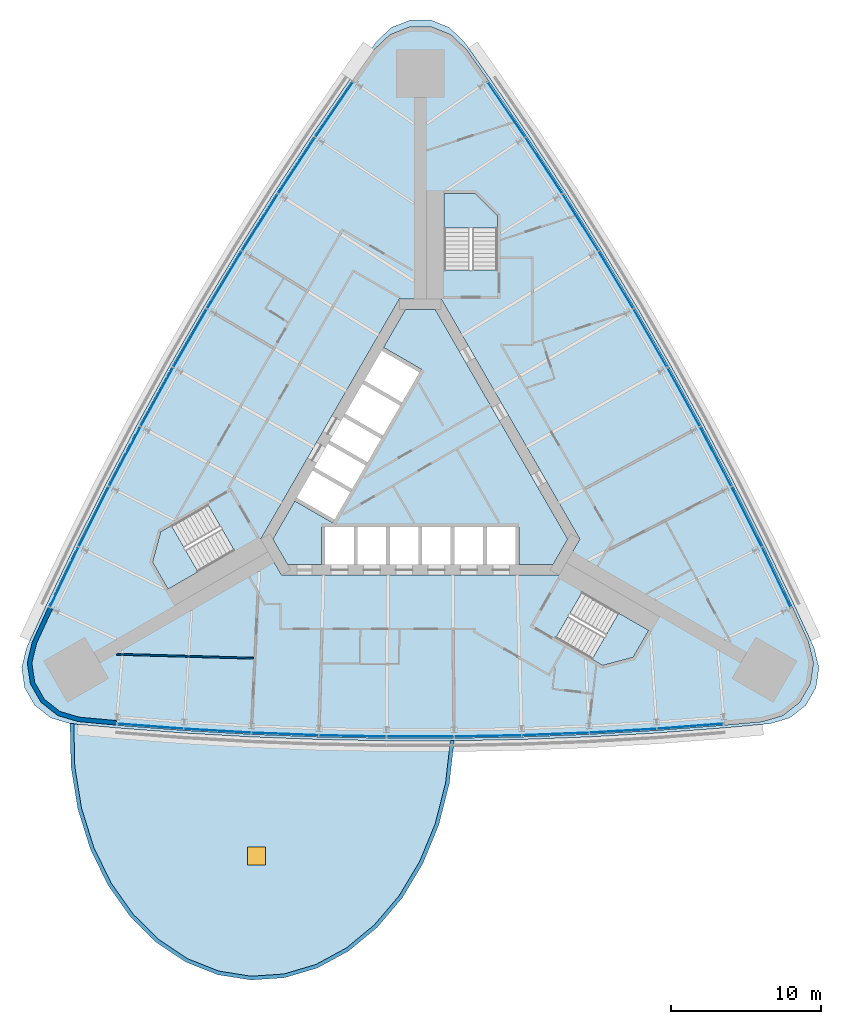
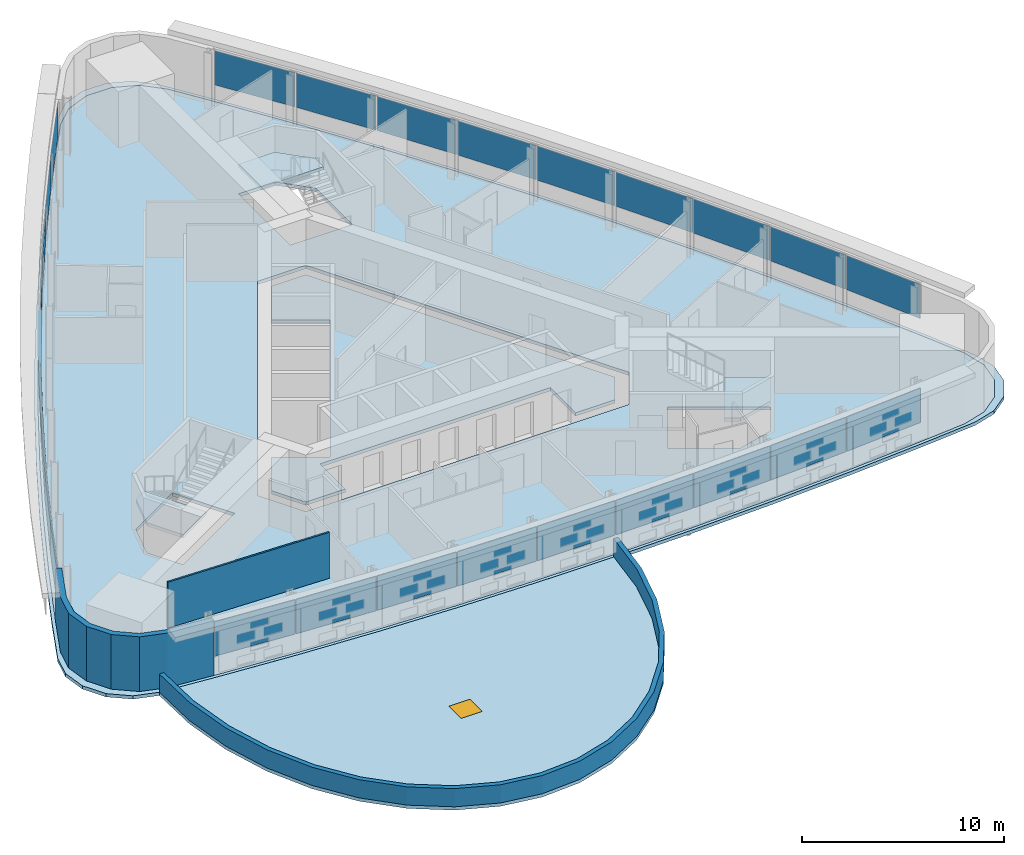
# One storey, part 9 of 15: 27 plates, 7 slabs, 3 walls, 1 window, 1 opening, 6 elements without a shape of their own.
"""IFC4 building model written with IfcOpenShell, lengths in metres."""

from ifc_helpers import new_model, si_unit, direction, frame, frame_2d, origin, origin_2d, place, context, subcontext, project, spatial, polyline, rectangle, outline, extrude, material, layer, layer_set, type_object, element, fill, aggregate, save


model = new_model("IFC4")

# Units and contexts
model_context = context("Model", 3, precision=1e-05, world=origin(), true_north=direction((0.0, 1.0)))
body_context = subcontext(model_context, "Body", "Model", "MODEL_VIEW")
ifc_project = project(units=[si_unit("LENGTHUNIT", "METRE"), si_unit("AREAUNIT", "SQUARE_METRE"), si_unit("VOLUMEUNIT", "CUBIC_METRE"), si_unit("PLANEANGLEUNIT", "RADIAN"), si_unit("MASSUNIT", "GRAM", prefix="KILO")], contexts=[model_context])

# Site, building, storey
site_placement = place(None, origin())
site = spatial("IfcSite", under=ifc_project, at=site_placement, CompositionType="ELEMENT")
building_placement = place(site_placement, origin())
building = spatial("IfcBuilding", under=site, at=building_placement, Name="Noor Cloister Tower", CompositionType="ELEMENT")
storey_placement = place(building_placement, frame((0.0, 0.0, 69.0)))
storey = spatial("IfcBuildingStorey", under=building, at=storey_placement, Name="L17", CompositionType="ELEMENT", Elevation=69.0)

# Slabs
ifc_material_1 = material(Name="Concrete C40/50", Category="concrete")
ifc_layer_1 = layer(ifc_material_1, 0.199951171875)
ifc_layer_set_1 = layer_set([ifc_layer_1], Name="Core floor slab 200 C40/50")
slab_type_1 = type_object("IfcSlabType", Name="Core floor slab 200 C40/50", PredefinedType="FLOOR", material=ifc_layer_set_1)
slab_1_placement = place(storey_placement, frame((0.0, 0.0, -0.199951171875)))
element("IfcSlab", 1, at=slab_1_placement, inside=storey, type_object=slab_type_1, Name="Core floor L17", PredefinedType="FLOOR", context=body_context, shape_type="SweptSolid", body=[
    extrude(outline(polyline([(-6.574951171875, -6.228271484375), (-6.574951171875, -3.728271484375), (6.574951171875, -3.728271484375), (6.574951171875, -6.228271484375), (8.82470703125, -6.228271484375), (9.80615234375, -4.5283203125), (0.9814453125, 10.75634765625), (-0.9814453125, 10.75634765625), (-2.44384765625, 8.2236328125), (0.067626953125, 6.773681640625), (-5.832275390625, -3.4453125), (-8.34375, -1.995361328125), (-9.80615234375, -4.5283203125), (-8.82470703125, -6.228271484375), (-6.574951171875, -6.228271484375)])), origin(), (0.0, 0.0, 1.0), 0.199951171875),
])
ifc_material_2 = material(Name="Concrete C40/50", Category="concrete")
ifc_layer_2 = layer(ifc_material_2, 0.199951171875)
ifc_layer_set_2 = layer_set([ifc_layer_2], Name="Floor slab 200 C40/50")
slab_type_2 = type_object("IfcSlabType", Name="Floor slab 200 C40/50", PredefinedType="FLOOR", material=ifc_layer_set_2)
slab_2_placement = place(storey_placement, frame((0.0, 0.0, -0.199951171875)))
element("IfcSlab", 2, at=slab_2_placement, inside=storey, type_object=slab_type_2, Name="Floor slab L17", PredefinedType="FLOOR", context=body_context, shape_type="SweptSolid", body=[
    extrude(outline(polyline([(3.05908203125, 28.035888671875), (2.029052734375, 29.013916015625), (0.710205078125, 29.540283203125), (-0.710205078125, 29.540283203125), (-2.029052734375, 29.013916015625), (-3.05908203125, 28.035888671875), (-4.524169921875, 25.96533203125), (-7.06787109375, 22.25341796875), (-9.53955078125, 18.492919921875), (-11.938232421875, 14.685546875), (-14.262939453125, 10.832763671875), (-16.5126953125, 6.935546875), (-18.687255859375, 2.995849609375), (-20.78515625, -0.985107421875), (-22.805908203125, -5.005615234375), (-24.748779296875, -9.064697265625), (-25.809326171875, -11.36865234375), (-26.141357421875, -12.74951171875), (-25.937744140625, -14.1552734375), (-25.227783203125, -15.38525390625), (-24.112060546875, -16.26416015625), (-22.750244140625, -16.6669921875), (-20.224609375, -16.900634765625), (-15.738037109375, -17.24755859375), (-11.24560546875, -17.508056640625), (-6.7490234375, -17.681640625), (-2.25, -17.768310546875), (2.25, -17.768310546875), (6.7490234375, -17.681640625), (11.24560546875, -17.508056640625), (15.738037109375, -17.24755859375), (20.224609375, -16.900634765625), (22.750244140625, -16.6669921875), (24.112060546875, -16.26416015625), (25.227783203125, -15.38525390625), (25.937744140625, -14.1552734375), (26.141357421875, -12.74951171875), (25.809326171875, -11.36865234375), (24.748779296875, -9.064697265625), (22.805908203125, -5.005615234375), (20.78515625, -0.985107421875), (18.687255859375, 2.995849609375), (16.5126953125, 6.935546875), (14.262939453125, 10.832763671875), (11.938232421875, 14.685546875), (9.53955078125, 18.492919921875), (7.06787109375, 22.25341796875), (4.524169921875, 25.96533203125), (3.05908203125, 28.035888671875)]), holes=[polyline([(8.999755859375, -11.126220703125), (12.131591796875, -12.934326171875), (14.1572265625, -12.3916015625), (15.19091796875, -10.601318359375), (10.774658203125, -8.0517578125), (8.999755859375, -11.126220703125)]), polyline([(-17.81005859375, -6.064697265625), (-16.776611328125, -7.85498046875), (-12.3603515625, -5.305419921875), (-14.13525390625, -2.23095703125), (-16.662841796875, -3.690185546875), (-17.267333984375, -4.039306640625), (-17.81005859375, -6.064697265625)]), polyline([(-10.6142578125, -4.5283203125), (-9.228759765625, -6.92822265625), (9.228759765625, -6.92822265625), (10.6142578125, -4.5283203125), (1.3857421875, 11.456298828125), (-1.3857421875, 11.456298828125), (-10.6142578125, -4.5283203125)]), polyline([(3.65283203125, 18.456298828125), (1.585693359375, 18.456298828125), (1.585693359375, 13.35693359375), (5.135498046875, 13.35693359375), (5.135498046875, 16.9736328125), (3.65283203125, 18.456298828125)])]), origin(), (0.0, 0.0, 1.0), 0.199951171875),
])

# Curtain wall, plates
ifc_material_3 = material(Name="Aluminium 6063-T6 anodised", Category="aluminium")
curtain_wall_type = type_object("IfcCurtainWallType", Name="Ribbon curtain wall, lower tower CW1", PredefinedType="NOTDEFINED", material=ifc_material_3)
curtain_wall_1_placement = place(storey_placement, origin())
curtain_wall_1 = element("IfcCurtainWall", 3, at=curtain_wall_1_placement, inside=storey, type_object=curtain_wall_type, Name="CW1 L17 NW run 1", PredefinedType="NOTDEFINED")
ifc_material_4 = material(Name="Clear laminated glass 2 x 8 mm", Category="glass")
ifc_layer_3 = layer(ifc_material_4, 0.028076171875)
ifc_layer_set_3 = layer_set([ifc_layer_3], Name="Glass panel CW1")
plate_type = type_object("IfcPlateType", Name="Glass panel CW1", PredefinedType="CURTAIN_PANEL", material=ifc_layer_set_3)
plate_1_placement = place(storey_placement, frame((-5.724609375, 24.03662109375, 1.08984375), z_axis=(0.0, 0.0, 1.0), x_axis=(-0.56527615209, -0.82490173468, 0.0)))
plate_1 = element("IfcPlate", 4, at=plate_1_placement, type_object=plate_type, Name="CW1 glass panel 1", PredefinedType="CURTAIN_PANEL", context=body_context, shape_type="SweptSolid", body=[
    extrude(rectangle(XDim=4.39892578125, YDim=0.028076171875, at=origin_2d()), origin(), (0.0, 0.0, 1.0), 2.070068359375),
])
plate_2_placement = place(storey_placement, frame((-8.22021484375, 20.318359375, 1.08984375), z_axis=(0.0, 0.0, 1.0), x_axis=(-0.549257685694, -0.835653034881, 0.0)))
plate_2 = element("IfcPlate", 5, at=plate_2_placement, type_object=plate_type, Name="CW1 glass panel 2", PredefinedType="CURTAIN_PANEL", context=body_context, shape_type="SweptSolid", body=[
    extrude(rectangle(XDim=4.43798828125, YDim=0.028076171875, at=origin_2d()), origin(), (0.0, 0.0, 1.0), 2.070068359375),
])
plate_3_placement = place(storey_placement, frame((-10.654296875, 16.535888671875, 1.08984375), z_axis=(0.0, 0.0, 1.0), x_axis=(-0.533034810395, -0.846093310993, 0.0)))
plate_3 = element("IfcPlate", 6, at=plate_3_placement, type_object=plate_type, Name="CW1 glass panel 3", PredefinedType="CURTAIN_PANEL", context=body_context, shape_type="SweptSolid", body=[
    extrude(rectangle(XDim=4.43798828125, YDim=0.028076171875, at=origin_2d()), origin(), (0.0, 0.0, 1.0), 2.070068359375),
])
plate_4_placement = place(storey_placement, frame((-13.014892578125, 12.70751953125, 1.08984375), z_axis=(0.0, 0.0, 1.0), x_axis=(-0.516613534697, -0.856218696226, 0.0)))
plate_4 = element("IfcPlate", 7, at=plate_4_placement, type_object=plate_type, Name="CW1 glass panel 4", PredefinedType="CURTAIN_PANEL", context=body_context, shape_type="SweptSolid", body=[
    extrude(rectangle(XDim=4.43798828125, YDim=0.028076171875, at=origin_2d()), origin(), (0.0, 0.0, 1.0), 2.070068359375),
])
plate_5_placement = place(storey_placement, frame((-15.30126953125, 8.834228515625, 1.08984375), z_axis=(0.0, 0.0, 1.0), x_axis=(-0.5, -0.866025403784, 0.0)))
plate_5 = element("IfcPlate", 8, at=plate_5_placement, type_object=plate_type, Name="CW1 glass panel 5", PredefinedType="CURTAIN_PANEL", context=body_context, shape_type="SweptSolid", body=[
    extrude(rectangle(XDim=4.43798828125, YDim=0.028076171875, at=origin_2d()), origin(), (0.0, 0.0, 1.0), 2.070068359375),
])
plate_6_placement = place(storey_placement, frame((-17.512451171875, 4.91748046875, 1.08984375), z_axis=(0.0, 0.0, 1.0), x_axis=(-0.483200374778, -0.8755097931, 0.0)))
plate_6 = element("IfcPlate", 9, at=plate_6_placement, type_object=plate_type, Name="CW1 glass panel 6", PredefinedType="CURTAIN_PANEL", context=body_context, shape_type="SweptSolid", body=[
    extrude(rectangle(XDim=4.43798828125, YDim=0.028076171875, at=origin_2d()), origin(), (0.0, 0.0, 1.0), 2.070068359375),
])
plate_7_placement = place(storey_placement, frame((-19.647705078125, 0.958740234375, 1.08984375), z_axis=(0.0, 0.0, 1.0), x_axis=(-0.466220896094, -0.8846683424, 0.0)))
plate_7 = element("IfcPlate", 10, at=plate_7_placement, type_object=plate_type, Name="CW1 glass panel 7", PredefinedType="CURTAIN_PANEL", context=body_context, shape_type="SweptSolid", body=[
    extrude(rectangle(XDim=4.43798828125, YDim=0.028076171875, at=origin_2d()), origin(), (0.0, 0.0, 1.0), 2.070068359375),
])
plate_8_placement = place(storey_placement, frame((-21.706298828125, -3.040283203125, 1.08984375), z_axis=(0.0, 0.0, 1.0), x_axis=(-0.449067914109, -0.893497626476, 0.0)))
plate_8 = element("IfcPlate", 11, at=plate_8_placement, type_object=plate_type, Name="CW1 glass panel 8", PredefinedType="CURTAIN_PANEL", context=body_context, shape_type="SweptSolid", body=[
    extrude(rectangle(XDim=4.43798828125, YDim=0.028076171875, at=origin_2d()), origin(), (0.0, 0.0, 1.0), 2.070068359375),
])
plate_9_placement = place(storey_placement, frame((-23.6787109375, -7.060791015625, 1.08984375), z_axis=(0.0, 0.0, 1.0), x_axis=(-0.431747781814, -0.901994375203, 0.0)))
plate_9 = element("IfcPlate", 12, at=plate_9_placement, type_object=plate_type, Name="CW1 glass panel 9", PredefinedType="CURTAIN_PANEL", context=body_context, shape_type="SweptSolid", body=[
    extrude(rectangle(XDim=4.39892578125, YDim=0.028076171875, at=origin_2d()), origin(), (0.0, 0.0, 1.0), 2.070068359375),
])
aggregate(curtain_wall_1, [plate_1, plate_2, plate_3, plate_4, plate_5, plate_6, plate_7, plate_8, plate_9])

curtain_wall_2_placement = place(storey_placement, origin())
curtain_wall_2 = element("IfcCurtainWall", 13, at=curtain_wall_2_placement, inside=storey, type_object=curtain_wall_type, Name="CW1 L17 S run 2", PredefinedType="NOTDEFINED")
plate_10_placement = place(storey_placement, frame((-17.9541015625, -16.97607421875, 1.08984375), z_axis=(0.0, 0.0, 1.0), x_axis=(0.997023933904, -0.077092640523, 0.0)))
plate_10 = element("IfcPlate", 14, at=plate_10_placement, type_object=plate_type, Name="CW1 glass panel 1", PredefinedType="CURTAIN_PANEL", context=body_context, shape_type="SweptSolid", body=[
    extrude(rectangle(XDim=4.39892578125, YDim=0.028076171875, at=origin_2d()), origin(), (0.0, 0.0, 1.0), 2.070068359375),
])
plate_11_placement = place(storey_placement, frame((-13.486083984375, -17.278076171875, 1.08984375), z_axis=(0.0, 0.0, 1.0), x_axis=(0.998325599804, -0.057844591595, 0.0)))
plate_11 = element("IfcPlate", 15, at=plate_11_placement, type_object=plate_type, Name="CW1 glass panel 2", PredefinedType="CURTAIN_PANEL", context=body_context, shape_type="SweptSolid", body=[
    extrude(rectangle(XDim=4.43798828125, YDim=0.028076171875, at=origin_2d()), origin(), (0.0, 0.0, 1.0), 2.070068359375),
])
plate_12_placement = place(storey_placement, frame((-8.993408203125, -17.494873046875, 1.08984375), z_axis=(0.0, 0.0, 1.0), x_axis=(0.99925570649, -0.038575031407, 0.0)))
plate_12 = element("IfcPlate", 16, at=plate_12_placement, type_object=plate_type, Name="CW1 glass panel 3", PredefinedType="CURTAIN_PANEL", context=body_context, shape_type="SweptSolid", body=[
    extrude(rectangle(XDim=4.43798828125, YDim=0.028076171875, at=origin_2d()), origin(), (0.0, 0.0, 1.0), 2.070068359375),
])
plate_13_placement = place(storey_placement, frame((-4.49755859375, -17.625, 1.08984375), z_axis=(0.0, 0.0, 1.0), x_axis=(0.999813909476, -0.019291096874, 0.0)))
plate_13 = element("IfcPlate", 17, at=plate_13_placement, type_object=plate_type, Name="CW1 glass panel 4", PredefinedType="CURTAIN_PANEL", context=body_context, shape_type="SweptSolid", body=[
    extrude(rectangle(XDim=4.43798828125, YDim=0.028076171875, at=origin_2d()), origin(), (0.0, 0.0, 1.0), 2.070068359375),
])
plate_14_placement = place(storey_placement, frame((0.0, -17.668212890625, 1.08984375), z_axis=(0.0, 0.0, 1.0), x_axis=(1.0, 0.0, 0.0)))
plate_14 = element("IfcPlate", 18, at=plate_14_placement, type_object=plate_type, Name="CW1 glass panel 5", PredefinedType="CURTAIN_PANEL", context=body_context, shape_type="SweptSolid", body=[
    extrude(rectangle(XDim=4.43798828125, YDim=0.028076171875, at=origin_2d()), origin(), (0.0, 0.0, 1.0), 2.070068359375),
])
plate_15_placement = place(storey_placement, frame((4.49755859375, -17.625, 1.08984375), z_axis=(0.0, 0.0, 1.0), x_axis=(0.999813909476, 0.019291096874, 0.0)))
plate_15 = element("IfcPlate", 19, at=plate_15_placement, type_object=plate_type, Name="CW1 glass panel 6", PredefinedType="CURTAIN_PANEL", context=body_context, shape_type="SweptSolid", body=[
    extrude(rectangle(XDim=4.43798828125, YDim=0.028076171875, at=origin_2d()), origin(), (0.0, 0.0, 1.0), 2.070068359375),
])
plate_16_placement = place(storey_placement, frame((8.993408203125, -17.494873046875, 1.08984375), z_axis=(0.0, 0.0, 1.0), x_axis=(0.99925570649, 0.038575031407, 0.0)))
plate_16 = element("IfcPlate", 20, at=plate_16_placement, type_object=plate_type, Name="CW1 glass panel 7", PredefinedType="CURTAIN_PANEL", context=body_context, shape_type="SweptSolid", body=[
    extrude(rectangle(XDim=4.43798828125, YDim=0.028076171875, at=origin_2d()), origin(), (0.0, 0.0, 1.0), 2.070068359375),
])
plate_17_placement = place(storey_placement, frame((13.486083984375, -17.278076171875, 1.08984375), z_axis=(0.0, 0.0, 1.0), x_axis=(0.998325599804, 0.057844591595, 0.0)))
plate_17 = element("IfcPlate", 21, at=plate_17_placement, type_object=plate_type, Name="CW1 glass panel 8", PredefinedType="CURTAIN_PANEL", context=body_context, shape_type="SweptSolid", body=[
    extrude(rectangle(XDim=4.43798828125, YDim=0.028076171875, at=origin_2d()), origin(), (0.0, 0.0, 1.0), 2.070068359375),
])
plate_18_placement = place(storey_placement, frame((17.9541015625, -16.97607421875, 1.08984375), z_axis=(0.0, 0.0, 1.0), x_axis=(0.997023933904, 0.077092640523, 0.0)))
plate_18 = element("IfcPlate", 22, at=plate_18_placement, type_object=plate_type, Name="CW1 glass panel 9", PredefinedType="CURTAIN_PANEL", context=body_context, shape_type="SweptSolid", body=[
    extrude(rectangle(XDim=4.39892578125, YDim=0.028076171875, at=origin_2d()), origin(), (0.0, 0.0, 1.0), 2.070068359375),
])
aggregate(curtain_wall_2, [plate_10, plate_11, plate_12, plate_13, plate_14, plate_15, plate_16, plate_17, plate_18])

curtain_wall_3_placement = place(storey_placement, origin())
curtain_wall_3 = element("IfcCurtainWall", 23, at=curtain_wall_3_placement, inside=storey, type_object=curtain_wall_type, Name="CW1 L17 NE run 3", PredefinedType="NOTDEFINED")
plate_19_placement = place(storey_placement, frame((23.6787109375, -7.060791015625, 1.08984375), z_axis=(0.0, 0.0, 1.0), x_axis=(-0.431747781814, 0.901994375203, 0.0)))
plate_19 = element("IfcPlate", 24, at=plate_19_placement, type_object=plate_type, Name="CW1 glass panel 1", PredefinedType="CURTAIN_PANEL", context=body_context, shape_type="SweptSolid", body=[
    extrude(rectangle(XDim=4.39892578125, YDim=0.028076171875, at=origin_2d()), origin(), (0.0, 0.0, 1.0), 2.070068359375),
])
plate_20_placement = place(storey_placement, frame((21.706298828125, -3.040283203125, 1.08984375), z_axis=(0.0, 0.0, 1.0), x_axis=(-0.449067914109, 0.893497626476, 0.0)))
plate_20 = element("IfcPlate", 25, at=plate_20_placement, type_object=plate_type, Name="CW1 glass panel 2", PredefinedType="CURTAIN_PANEL", context=body_context, shape_type="SweptSolid", body=[
    extrude(rectangle(XDim=4.43798828125, YDim=0.028076171875, at=origin_2d()), origin(), (0.0, 0.0, 1.0), 2.070068359375),
])
plate_21_placement = place(storey_placement, frame((19.647705078125, 0.958740234375, 1.08984375), z_axis=(0.0, 0.0, 1.0), x_axis=(-0.466220896094, 0.8846683424, 0.0)))
plate_21 = element("IfcPlate", 26, at=plate_21_placement, type_object=plate_type, Name="CW1 glass panel 3", PredefinedType="CURTAIN_PANEL", context=body_context, shape_type="SweptSolid", body=[
    extrude(rectangle(XDim=4.43798828125, YDim=0.028076171875, at=origin_2d()), origin(), (0.0, 0.0, 1.0), 2.070068359375),
])
plate_22_placement = place(storey_placement, frame((17.512451171875, 4.91748046875, 1.08984375), z_axis=(0.0, 0.0, 1.0), x_axis=(-0.483200374778, 0.8755097931, 0.0)))
plate_22 = element("IfcPlate", 27, at=plate_22_placement, type_object=plate_type, Name="CW1 glass panel 4", PredefinedType="CURTAIN_PANEL", context=body_context, shape_type="SweptSolid", body=[
    extrude(rectangle(XDim=4.43798828125, YDim=0.028076171875, at=origin_2d()), origin(), (0.0, 0.0, 1.0), 2.070068359375),
])
plate_23_placement = place(storey_placement, frame((15.30126953125, 8.834228515625, 1.08984375), z_axis=(0.0, 0.0, 1.0), x_axis=(-0.5, 0.866025403784, 0.0)))
plate_23 = element("IfcPlate", 28, at=plate_23_placement, type_object=plate_type, Name="CW1 glass panel 5", PredefinedType="CURTAIN_PANEL", context=body_context, shape_type="SweptSolid", body=[
    extrude(rectangle(XDim=4.43798828125, YDim=0.028076171875, at=origin_2d()), origin(), (0.0, 0.0, 1.0), 2.070068359375),
])
plate_24_placement = place(storey_placement, frame((13.014892578125, 12.70751953125, 1.08984375), z_axis=(0.0, 0.0, 1.0), x_axis=(-0.516613534697, 0.856218696226, 0.0)))
plate_24 = element("IfcPlate", 29, at=plate_24_placement, type_object=plate_type, Name="CW1 glass panel 6", PredefinedType="CURTAIN_PANEL", context=body_context, shape_type="SweptSolid", body=[
    extrude(rectangle(XDim=4.43798828125, YDim=0.028076171875, at=origin_2d()), origin(), (0.0, 0.0, 1.0), 2.070068359375),
])
plate_25_placement = place(storey_placement, frame((10.654296875, 16.535888671875, 1.08984375), z_axis=(0.0, 0.0, 1.0), x_axis=(-0.533034810395, 0.846093310993, 0.0)))
plate_25 = element("IfcPlate", 30, at=plate_25_placement, type_object=plate_type, Name="CW1 glass panel 7", PredefinedType="CURTAIN_PANEL", context=body_context, shape_type="SweptSolid", body=[
    extrude(rectangle(XDim=4.43798828125, YDim=0.028076171875, at=origin_2d()), origin(), (0.0, 0.0, 1.0), 2.070068359375),
])
plate_26_placement = place(storey_placement, frame((8.22021484375, 20.318359375, 1.08984375), z_axis=(0.0, 0.0, 1.0), x_axis=(-0.549257685694, 0.835653034881, 0.0)))
plate_26 = element("IfcPlate", 31, at=plate_26_placement, type_object=plate_type, Name="CW1 glass panel 8", PredefinedType="CURTAIN_PANEL", context=body_context, shape_type="SweptSolid", body=[
    extrude(rectangle(XDim=4.43798828125, YDim=0.028076171875, at=origin_2d()), origin(), (0.0, 0.0, 1.0), 2.070068359375),
])
plate_27_placement = place(storey_placement, frame((5.724609375, 24.03662109375, 1.08984375), z_axis=(0.0, 0.0, 1.0), x_axis=(-0.56527615209, 0.82490173468, 0.0)))
plate_27 = element("IfcPlate", 32, at=plate_27_placement, type_object=plate_type, Name="CW1 glass panel 9", PredefinedType="CURTAIN_PANEL", context=body_context, shape_type="SweptSolid", body=[
    extrude(rectangle(XDim=4.39892578125, YDim=0.028076171875, at=origin_2d()), origin(), (0.0, 0.0, 1.0), 2.070068359375),
])
aggregate(curtain_wall_3, [plate_19, plate_20, plate_21, plate_22, plate_23, plate_24, plate_25, plate_26, plate_27])

# Slab
ifc_material_5 = material(Name="Concrete C40/50", Category="concrete")
ifc_layer_4 = layer(ifc_material_5, 0.199951171875)
ifc_layer_set_4 = layer_set([ifc_layer_4], Name="Ledge roof 200 C40/50")
slab_type_3 = type_object("IfcSlabType", Name="Ledge roof 200 C40/50", PredefinedType="ROOF", material=ifc_layer_set_4)
slab_3_placement = place(storey_placement, frame((0.0, 0.0, -0.199951171875)))
element("IfcSlab", 33, at=slab_3_placement, inside=storey, type_object=slab_type_3, Name="Ledge roof L17", PredefinedType="ROOF", context=body_context, shape_type="SweptSolid", body=[
    extrude(outline(polyline([(4.683837890625, 26.05810546875), (2.90087890625, 28.576171875), (1.923828125, 29.502197265625), (0.673095703125, 30.000732421875), (-0.673095703125, 30.000732421875), (-1.923828125, 29.502197265625), (-2.90087890625, 28.576171875), (-4.683837890625, 26.05810546875), (-7.224609375, 22.343994140625), (-9.69384765625, 18.582275390625), (-12.091064453125, 14.77392578125), (-14.4150390625, 10.920654296875), (-16.6650390625, 7.0234375), (-18.840087890625, 3.084228515625), (-20.939697265625, -0.89599609375), (-22.962890625, -4.91552734375), (-24.908935546875, -8.972900390625), (-26.1982421875, -11.77587890625), (-26.511474609375, -13.085205078125), (-26.31787109375, -14.41748046875), (-25.644775390625, -15.583251953125), (-24.587890625, -16.417236328125), (-23.29736328125, -16.80029296875), (-20.22509765625, -17.085205078125), (-15.73828125, -17.4287109375), (-11.24560546875, -17.686279296875), (-6.7490234375, -17.858154296875), (-2.25, -17.944091796875), (2.25, -17.944091796875), (6.7490234375, -17.858154296875), (11.24560546875, -17.686279296875), (15.73828125, -17.4287109375), (20.22509765625, -17.085205078125), (23.29736328125, -16.80029296875), (24.587890625, -16.417236328125), (25.644775390625, -15.583251953125), (26.31787109375, -14.41748046875), (26.511474609375, -13.085205078125), (26.1982421875, -11.77587890625), (24.908935546875, -8.972900390625), (22.962890625, -4.91552734375), (20.939697265625, -0.89599609375), (18.840087890625, 3.084228515625), (16.6650390625, 7.0234375), (14.4150390625, 10.920654296875), (12.091064453125, 14.77392578125), (9.69384765625, 18.582275390625), (7.224609375, 22.343994140625), (4.683837890625, 26.05810546875)]), holes=[polyline([(0.710205078125, 29.540283203125), (-0.710205078125, 29.540283203125), (-2.029052734375, 29.013916015625), (-3.05908203125, 28.035888671875), (-4.524169921875, 25.96533203125), (-7.06787109375, 22.25341796875), (-9.53955078125, 18.492919921875), (-11.938232421875, 14.685546875), (-14.262939453125, 10.832763671875), (-16.5126953125, 6.935546875), (-18.687255859375, 2.995849609375), (-20.78515625, -0.985107421875), (-22.805908203125, -5.005615234375), (-24.748779296875, -9.064697265625), (-25.809326171875, -11.36865234375), (-26.141357421875, -12.74951171875), (-25.937744140625, -14.1552734375), (-25.227783203125, -15.38525390625), (-24.112060546875, -16.26416015625), (-22.750244140625, -16.6669921875), (-20.224609375, -16.900634765625), (-15.738037109375, -17.24755859375), (-11.24560546875, -17.508056640625), (-6.7490234375, -17.681640625), (-2.25, -17.768310546875), (2.25, -17.768310546875), (6.7490234375, -17.681640625), (11.24560546875, -17.508056640625), (15.738037109375, -17.24755859375), (20.224609375, -16.900634765625), (22.750244140625, -16.6669921875), (24.112060546875, -16.26416015625), (25.227783203125, -15.38525390625), (25.937744140625, -14.1552734375), (26.141357421875, -12.74951171875), (25.809326171875, -11.36865234375), (24.748779296875, -9.064697265625), (22.805908203125, -5.005615234375), (20.78515625, -0.985107421875), (18.687255859375, 2.995849609375), (16.5126953125, 6.935546875), (14.262939453125, 10.832763671875), (11.938232421875, 14.685546875), (9.53955078125, 18.492919921875), (7.06787109375, 22.25341796875), (4.524169921875, 25.96533203125), (3.05908203125, 28.035888671875), (2.029052734375, 29.013916015625), (0.710205078125, 29.540283203125)])]), origin(), (0.0, 0.0, 1.0), 0.199951171875),
])

# Slab, opening, window
ifc_material_6 = material(Name="Concrete C40/50", Category="concrete")
ifc_layer_5 = layer(ifc_material_6, 0.199951171875)
ifc_layer_set_5 = layer_set([ifc_layer_5], Name="Pod roof slab 200")
slab_type_4 = type_object("IfcSlabType", Name="Pod roof slab 200", PredefinedType="ROOF", material=ifc_layer_set_5)
slab_4_placement = place(storey_placement, frame((0.0, 0.0, -0.199951171875)))
slab_4 = element("IfcSlab", 34, at=slab_4_placement, inside=storey, type_object=slab_type_4, Name="Pod roof slab 1", PredefinedType="ROOF", context=body_context, shape_type="SweptSolid", body=[
    extrude(outline(polyline([(-23.29736328125, -16.80029296875), (-23.2314453125, -19.67138671875), (-22.779296875, -22.472412109375), (-21.954833984375, -25.11865234375), (-20.783203125, -27.529541015625), (-19.299560546875, -29.6318359375), (-17.549560546875, -31.361328125), (-15.5859375, -32.666015625), (-13.468505859375, -33.506103515625), (-11.26171875, -33.855712890625), (-9.0322265625, -33.70458984375), (-6.84814453125, -33.05712890625), (-4.77587890625, -31.933349609375), (-2.878173828125, -30.366943359375), (-1.212890625, -28.40576171875), (0.169677734375, -26.109130859375), (1.227294921875, -23.54736328125), (1.927734375, -20.797607421875), (2.25, -17.944091796875), (-2.25, -17.944091796875), (-6.7490234375, -17.858154296875), (-11.24560546875, -17.686279296875), (-15.73828125, -17.4287109375), (-20.22509765625, -17.085205078125), (-23.29736328125, -16.80029296875)])), origin(), (0.0, 0.0, 1.0), 0.199951171875),
])
opening_placement = place(slab_4_placement, frame((-10.892578125, -25.614013671875, 0.0)))
opening = element("IfcOpeningElement", 35, at=opening_placement, cuts=slab_4, Name="Opening RH1", PredefinedType="OPENING", context=body_context, shape_type="SweptSolid", body=[
    extrude(rectangle(XDim=1.199951171875, YDim=1.199951171875, at=origin_2d()), origin(), (0.0, 0.0, 1.0), 0.199951171875),
])
ifc_material_7 = material(Name="Aluminium 6063-T6 anodised", Category="aluminium")
window_type = type_object("IfcWindowType", Name="Roof access hatch", PartitioningType="SINGLE_PANEL", PredefinedType="SKYLIGHT", material=ifc_material_7)
window_placement = place(opening_placement, frame((0.0, 0.0, 0.14990234375)))
window = element("IfcWindow", 36, at=window_placement, inside=storey, type_object=window_type, Name="Sky bar 1 roof access hatch", OverallHeight=1.199951171875, OverallWidth=1.199951171875, PartitioningType="SINGLE_PANEL", PredefinedType="SKYLIGHT", context=body_context, shape_type="SweptSolid", body=[
    extrude(rectangle(XDim=1.199951171875, YDim=1.199951171875, at=origin_2d()), origin(), (0.0, 0.0, 1.0), 0.050048828125),
])
fill(opening, window)

# Stair, slab
ifc_material_8 = material(Name="Concrete C40/50", Category="concrete")
stair_type = type_object("IfcStairType", Name="Exit stair 22 risers", PredefinedType="HALF_TURN_STAIR", material=ifc_material_8)
stair_1_placement = place(storey_placement, origin())
stair_1 = element("IfcStair", 37, at=stair_1_placement, inside=storey, type_object=stair_type, Name="Exit stair ST1 L17", PredefinedType="HALF_TURN_STAIR")
ifc_material_9 = material(Name="Concrete C40/50", Category="concrete")
ifc_layer_6 = layer(ifc_material_9, 0.199951171875)
ifc_layer_set_6 = layer_set([ifc_layer_6], Name="Stair landing 200 C40/50")
slab_type_5 = type_object("IfcSlabType", Name="Stair landing 200 C40/50", PredefinedType="LANDING", material=ifc_layer_set_6)
slab_5_placement = place(storey_placement, frame((0.0, 0.0, 1.60009765625)))
slab_5 = element("IfcSlab", 38, at=slab_5_placement, type_object=slab_type_5, Name="ST1 landing 1", PredefinedType="LANDING", context=body_context, shape_type="SweptSolid", body=[
    extrude(outline(polyline([(5.135498046875, 16.15576171875), (5.135498046875, 16.9736328125), (3.65283203125, 18.456298828125), (1.585693359375, 18.456298828125), (1.585693359375, 16.15576171875), (5.135498046875, 16.15576171875)])), origin(), (0.0, 0.0, 1.0), 0.199951171875),
])
aggregate(stair_1, [slab_5])

stair_2_placement = place(storey_placement, origin())
stair_2 = element("IfcStair", 39, at=stair_2_placement, inside=storey, type_object=stair_type, Name="Exit stair ST2 L17", PredefinedType="HALF_TURN_STAIR")
slab_6_placement = place(storey_placement, frame((0.0, 0.0, 1.60009765625)))
slab_6 = element("IfcSlab", 40, at=slab_6_placement, type_object=slab_type_5, Name="ST2 landing 1", PredefinedType="LANDING", context=body_context, shape_type="SweptSolid", body=[
    extrude(outline(polyline([(-16.55908203125, -3.63037109375), (-17.267333984375, -4.039306640625), (-17.81005859375, -6.064697265625), (-16.776611328125, -7.85498046875), (-14.7841796875, -6.70458984375), (-16.55908203125, -3.63037109375)])), origin(), (0.0, 0.0, 1.0), 0.199951171875),
])
aggregate(stair_2, [slab_6])

stair_3_placement = place(storey_placement, origin())
stair_3 = element("IfcStair", 41, at=stair_3_placement, inside=storey, type_object=stair_type, Name="Exit stair ST3 L17", PredefinedType="HALF_TURN_STAIR")
slab_7_placement = place(storey_placement, frame((0.0, 0.0, 1.60009765625)))
slab_7 = element("IfcSlab", 42, at=slab_7_placement, type_object=slab_type_5, Name="ST3 landing 1", PredefinedType="LANDING", context=body_context, shape_type="SweptSolid", body=[
    extrude(outline(polyline([(11.423583984375, -12.525390625), (12.131591796875, -12.934326171875), (14.1572265625, -12.3916015625), (15.19091796875, -10.601318359375), (13.198486328125, -9.451171875), (11.423583984375, -12.525390625)])), origin(), (0.0, 0.0, 1.0), 0.199951171875),
])
aggregate(stair_3, [slab_7])

# Walls
ifc_material_10 = material(Name="Limestone", Category="masonry")
ifc_layer_7 = layer(ifc_material_10, 0.300048828125)
ifc_layer_set_7 = layer_set([ifc_layer_7], Name="Limestone cladding 300")
wall_type_1 = type_object("IfcWallType", Name="Limestone cladding 300", PredefinedType="NOTDEFINED", material=ifc_layer_set_7)
wall_1_placement = place(storey_placement, origin())
element("IfcWall", 43, at=wall_1_placement, inside=storey, type_object=wall_type_1, Name="Limestone pier cladding L17 1.1", PredefinedType="NOTDEFINED", context=body_context, shape_type="SweptSolid", body=[
    extrude(outline(polyline([(-24.748779296875, -9.064697265625), (-25.809326171875, -11.36865234375), (-26.141357421875, -12.74951171875), (-25.937744140625, -14.1552734375), (-25.227783203125, -15.38525390625), (-24.112060546875, -16.26416015625), (-22.750244140625, -16.6669921875), (-20.224609375, -16.900634765625), (-20.197021484375, -16.60205078125), (-22.693359375, -16.37109375), (-23.9716796875, -15.992919921875), (-24.99658203125, -15.185302734375), (-25.649169921875, -14.05517578125), (-25.836181640625, -12.763671875), (-25.5244140625, -11.467529296875), (-24.476318359375, -9.18994140625), (-24.748779296875, -9.064697265625)])), origin(), (0.0, 0.0, 1.0), 3.300048828125),
])
ifc_material_11 = material(Name="Limestone", Category="masonry")
ifc_layer_8 = layer(ifc_material_11, 0.25)
ifc_layer_set_8 = layer_set([ifc_layer_8], Name="Limestone parapet 250")
wall_type_2 = type_object("IfcWallType", Name="Limestone parapet 250", PredefinedType="PARAPET", material=ifc_layer_set_8)
wall_2_placement = place(storey_placement, origin())
element("IfcWall", 44, at=wall_2_placement, inside=storey, type_object=wall_type_2, Name="Sky bar 1 roof parapet", PredefinedType="PARAPET", context=body_context, shape_type="SweptSolid", body=[
    extrude(outline(polyline([(-23.29736328125, -16.80029296875), (-23.2314453125, -19.67138671875), (-22.779296875, -22.472412109375), (-21.954833984375, -25.11865234375), (-20.783203125, -27.529541015625), (-19.299560546875, -29.6318359375), (-17.549560546875, -31.361328125), (-15.5859375, -32.666015625), (-13.468505859375, -33.506103515625), (-11.26171875, -33.855712890625), (-9.0322265625, -33.70458984375), (-6.84814453125, -33.05712890625), (-4.77587890625, -31.933349609375), (-2.878173828125, -30.366943359375), (-1.212890625, -28.40576171875), (0.169677734375, -26.109130859375), (1.227294921875, -23.54736328125), (1.927734375, -20.797607421875), (2.25, -17.944091796875), (2.00146484375, -17.916015625), (1.68115234375, -20.752685546875), (0.9892578125, -23.46826171875), (-0.05419921875, -25.996337890625), (-1.41650390625, -28.25927734375), (-3.054443359375, -30.188232421875), (-4.91650390625, -31.72509765625), (-6.9443359375, -32.824951171875), (-9.076904296875, -33.45703125), (-11.250244140625, -33.6044921875), (-13.402099609375, -33.263427734375), (-15.469482421875, -32.443359375), (-17.39111328125, -31.16650390625), (-19.108154296875, -29.469482421875), (-20.567138671875, -27.402099609375), (-21.721923828125, -25.0263671875), (-22.535400390625, -22.4150390625), (-22.981689453125, -19.6484375), (-23.04736328125, -16.794677734375), (-23.29736328125, -16.80029296875)])), origin(), (0.0, 0.0, 1.0), 1.10009765625),
])
ifc_material_12 = material(Name="Gypsum board partition on steel studs, 100 mm", Category="steel")
ifc_layer_9 = layer(ifc_material_12, 0.10009765625)
ifc_layer_set_9 = layer_set([ifc_layer_9], Name="Partition 100")
wall_type_3 = type_object("IfcWallType", Name="Partition 100", PredefinedType="PARTITIONING", material=ifc_layer_set_9)
wall_3_placement = place(storey_placement, frame((-11.088623046875, -12.452880859375, 0.0), z_axis=(0.0, 0.0, 1.0), x_axis=(-0.999581884532, 0.028914634982, 0.0)))
element("IfcWall", 45, at=wall_3_placement, inside=storey, type_object=wall_type_3, Name="Partition 100 L17 022", PredefinedType="PARTITIONING", context=body_context, shape_type="SweptSolid", body=[
    extrude(rectangle(XDim=9.09375, YDim=0.10009765625, at=frame_2d((4.546875, 0.0))), origin(), (0.0, 0.0, 1.0), 2.778076171875),
])

save(model, "model.ifc")
